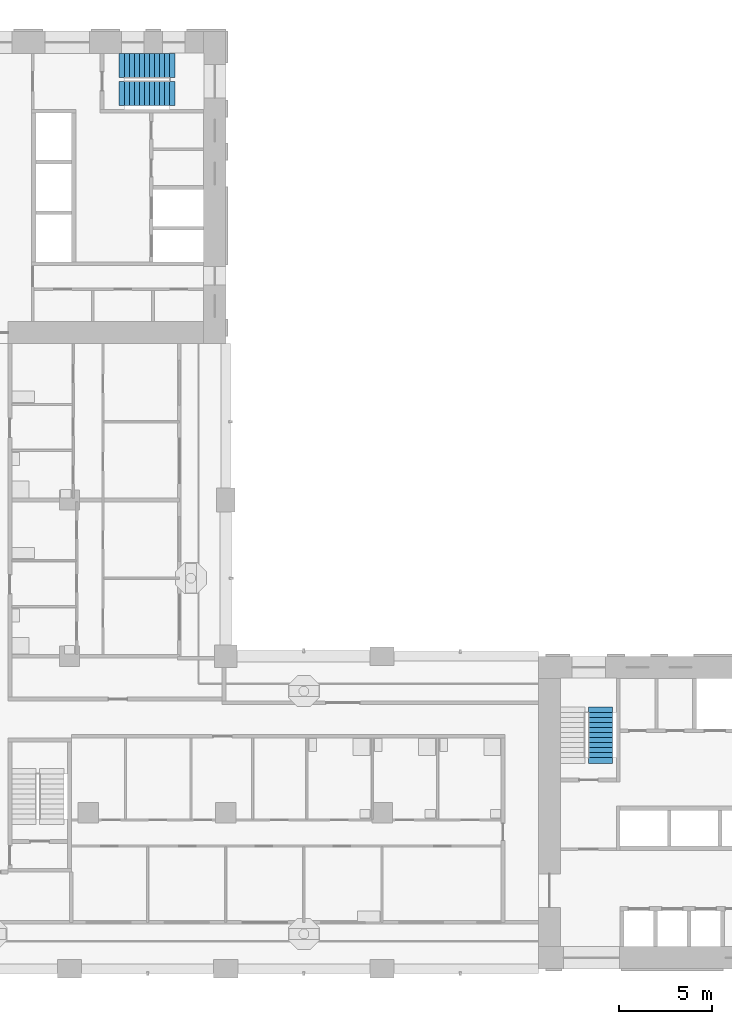
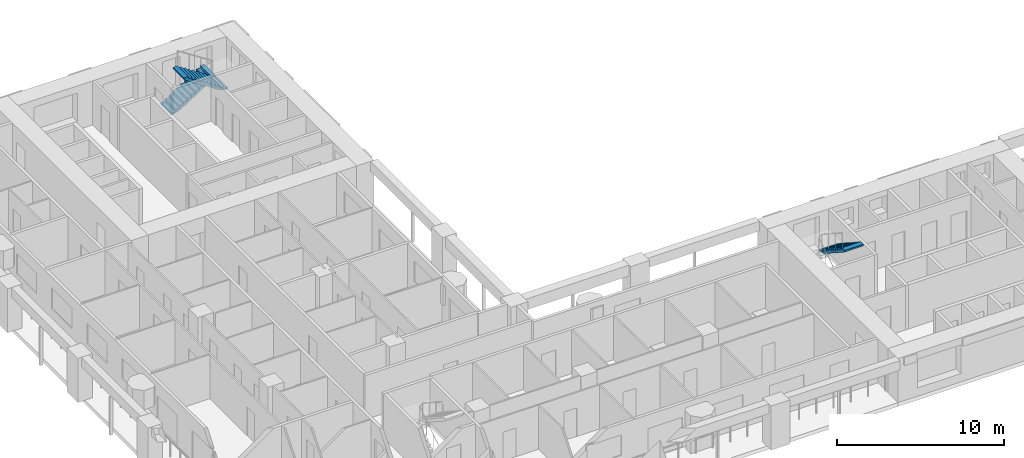
# One storey, part 9 of 19: 3 stair flights, 2 elements without a shape of their own.
"""IFC4 building model written with IfcOpenShell, lengths in metres."""

from ifc_helpers import new_model, si_unit, direction, frame, origin, place, context, subcontext, project, spatial, polyline, outline, extrude, material, type_object, element, aggregate, save


model = new_model("IFC4")

# Units and contexts
model_context = context("Model", 3, precision=1e-05, world=origin(), true_north=direction((0.0, 1.0)))
body_context = subcontext(model_context, "Body", "Model", "MODEL_VIEW")
ifc_project = project(units=[si_unit("LENGTHUNIT", "METRE"), si_unit("AREAUNIT", "SQUARE_METRE"), si_unit("VOLUMEUNIT", "CUBIC_METRE"), si_unit("PLANEANGLEUNIT", "RADIAN"), si_unit("MASSUNIT", "GRAM", prefix="KILO")], contexts=[model_context])

# Site, building, storey
site_placement = place(None, origin())
site = spatial("IfcSite", under=ifc_project, at=site_placement, CompositionType="ELEMENT")
building_placement = place(site_placement, origin())
building = spatial("IfcBuilding", under=site, at=building_placement, Name="Vermilion Gate Residences", CompositionType="ELEMENT")
storey_placement = place(building_placement, frame((0.0, 0.0, 123.199951171875)))
storey = spatial("IfcBuildingStorey", under=building, at=storey_placement, Name="L31", CompositionType="ELEMENT", Elevation=123.199951171875)

# Stair, stair flight
ifc_material_1 = material(Name="Concrete C50", Category="concrete")
stair_type = type_object("IfcStairType", Name="SPECIAL ESCAPE STAIR 1300", PredefinedType="HALF_TURN_STAIR", material=ifc_material_1)
stair_1_placement = place(storey_placement, origin())
stair_1 = element("IfcStair", 1, at=stair_1_placement, inside=storey, type_object=stair_type, Name="Special escape stair STA1-31", PredefinedType="HALF_TURN_STAIR")
ifc_material_2 = material(Name="Concrete C50", Category="concrete")
stair_flight_type = type_object("IfcStairFlightType", Name="STAIR FLIGHT 1300 RC C50", PredefinedType="STRAIGHT", material=ifc_material_2)
stair_flight_1_placement = place(storey_placement, frame((45.35009765625, 22.179931640625, 1.75), z_axis=(0.0, 0.0, 1.0), x_axis=(0.0, -1.0, 0.0)))
stair_flight_1 = element("IfcStairFlight", 2, at=stair_flight_1_placement, type_object=stair_flight_type, Name="STA1-31 flight 2", NumberOfRisers=10, NumberOfTreads=9, PredefinedType="STRAIGHT", RiserHeight=0.175, TreadLength=0.27, context=body_context, shape_type="SweptSolid", body=[
    extrude(outline(polyline([(-0.300048828125, -0.14990234375), (-0.300048828125, -0.030029296875), (0.0, 0.0), (0.0, 0.175048828125), (0.27001953125, 0.175048828125), (0.27001953125, 0.35009765625), (0.5400390625, 0.35009765625), (0.5400390625, 0.52490234375), (0.81005859375, 0.52490234375), (0.81005859375, 0.699951171875), (1.080078125, 0.699951171875), (1.080078125, 0.875), (1.35009765625, 0.875), (1.35009765625, 1.050048828125), (1.6201171875, 1.050048828125), (1.6201171875, 1.22509765625), (1.889892578125, 1.22509765625), (1.889892578125, 1.39990234375), (2.159912109375, 1.39990234375), (2.159912109375, 1.574951171875), (2.429931640625, 1.574951171875), (2.429931640625, 1.75), (2.72998046875, 1.719970703125), (2.72998046875, 1.60009765625), (2.429931640625, 1.396484375), (0.275634765625, 0.0), (-0.300048828125, -0.14990234375)])), frame((0.0, 0.64990234375, 0.0), z_axis=(0.0, -1.0, 0.0), x_axis=(1.0, 0.0, 0.0)), (0.0, 0.0, 1.0), 1.300048828125),
])
aggregate(stair_1, [stair_flight_1])

# Stair, stair flights
stair_2_placement = place(storey_placement, origin())
stair_2 = element("IfcStair", 3, at=stair_2_placement, inside=storey, type_object=stair_type, Name="Special escape stair STB1-31", PredefinedType="HALF_TURN_STAIR")
stair_flight_2_placement = place(storey_placement, frame((19.75, 56.949951171875, 0.0), z_axis=(0.0, 0.0, 1.0), x_axis=(1.0, 0.0, 0.0)))
stair_flight_2 = element("IfcStairFlight", 4, at=stair_flight_2_placement, type_object=stair_flight_type, Name="STB1-31 flight 1", NumberOfRisers=10, NumberOfTreads=9, PredefinedType="STRAIGHT", RiserHeight=0.175, TreadLength=0.27, context=body_context, shape_type="SweptSolid", body=[
    extrude(outline(polyline([(-0.300048828125, -0.14990234375), (-0.300048828125, -0.030029296875), (0.0, 0.0), (0.0, 0.175048828125), (0.27001953125, 0.175048828125), (0.27001953125, 0.35009765625), (0.5400390625, 0.35009765625), (0.5400390625, 0.52490234375), (0.81005859375, 0.52490234375), (0.81005859375, 0.699951171875), (1.080078125, 0.699951171875), (1.080078125, 0.875), (1.35009765625, 0.875), (1.35009765625, 1.050048828125), (1.6201171875, 1.050048828125), (1.6201171875, 1.22509765625), (1.889892578125, 1.22509765625), (1.889892578125, 1.39990234375), (2.159912109375, 1.39990234375), (2.159912109375, 1.574951171875), (2.429931640625, 1.574951171875), (2.429931640625, 1.75), (2.72998046875, 1.719970703125), (2.72998046875, 1.60009765625), (2.429931640625, 1.396484375), (0.275634765625, 0.0), (-0.300048828125, -0.14990234375)])), frame((0.0, 0.64990234375, 0.0), z_axis=(0.0, -1.0, 0.0), x_axis=(1.0, 0.0, 0.0)), (0.0, 0.0, 1.0), 1.300048828125),
])
stair_flight_3_placement = place(storey_placement, frame((22.179931640625, 55.449951171875, 1.75), z_axis=(0.0, 0.0, 1.0), x_axis=(-1.0, 0.0, 0.0)))
stair_flight_3 = element("IfcStairFlight", 5, at=stair_flight_3_placement, type_object=stair_flight_type, Name="STB1-31 flight 2", NumberOfRisers=10, NumberOfTreads=9, PredefinedType="STRAIGHT", RiserHeight=0.175, TreadLength=0.27, context=body_context, shape_type="SweptSolid", body=[
    extrude(outline(polyline([(-0.300048828125, -0.14990234375), (-0.300048828125, -0.030029296875), (0.0, 0.0), (0.0, 0.175048828125), (0.27001953125, 0.175048828125), (0.27001953125, 0.35009765625), (0.5400390625, 0.35009765625), (0.5400390625, 0.52490234375), (0.81005859375, 0.52490234375), (0.81005859375, 0.699951171875), (1.080078125, 0.699951171875), (1.080078125, 0.875), (1.35009765625, 0.875), (1.35009765625, 1.050048828125), (1.6201171875, 1.050048828125), (1.6201171875, 1.22509765625), (1.889892578125, 1.22509765625), (1.889892578125, 1.39990234375), (2.159912109375, 1.39990234375), (2.159912109375, 1.574951171875), (2.429931640625, 1.574951171875), (2.429931640625, 1.75), (2.72998046875, 1.719970703125), (2.72998046875, 1.60009765625), (2.429931640625, 1.396484375), (0.275634765625, 0.0), (-0.300048828125, -0.14990234375)])), frame((0.0, 0.64990234375, 0.0), z_axis=(0.0, -1.0, 0.0), x_axis=(1.0, 0.0, 0.0)), (0.0, 0.0, 1.0), 1.300048828125),
])
aggregate(stair_2, [stair_flight_2, stair_flight_3])

save(model, "model.ifc")
